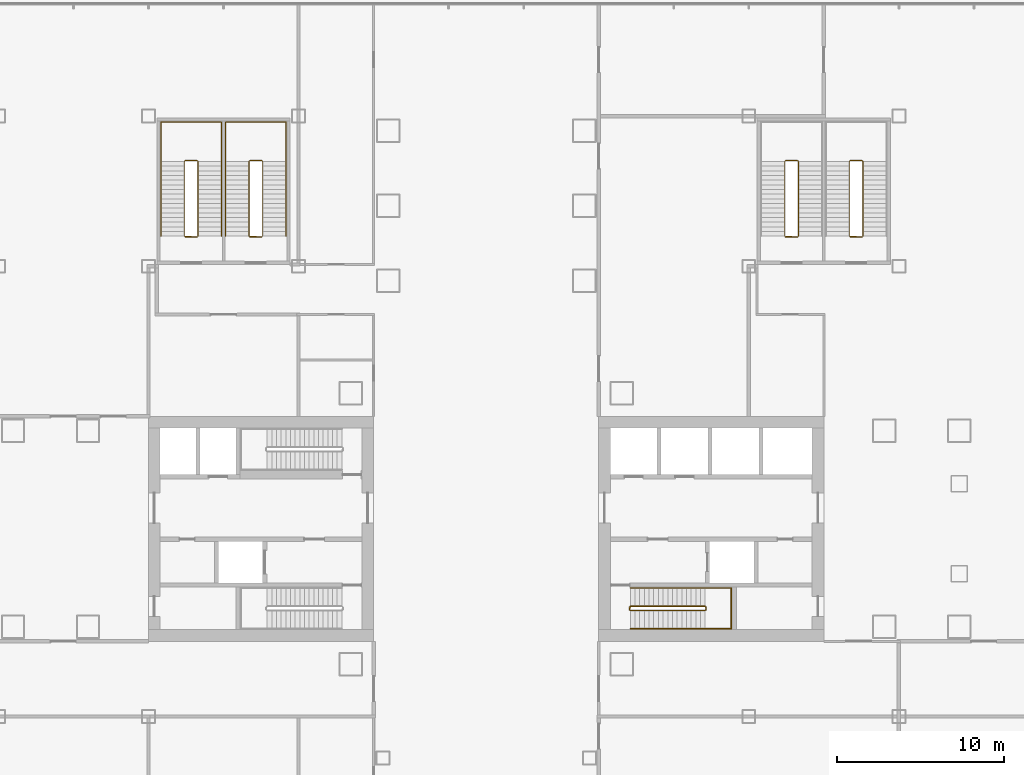
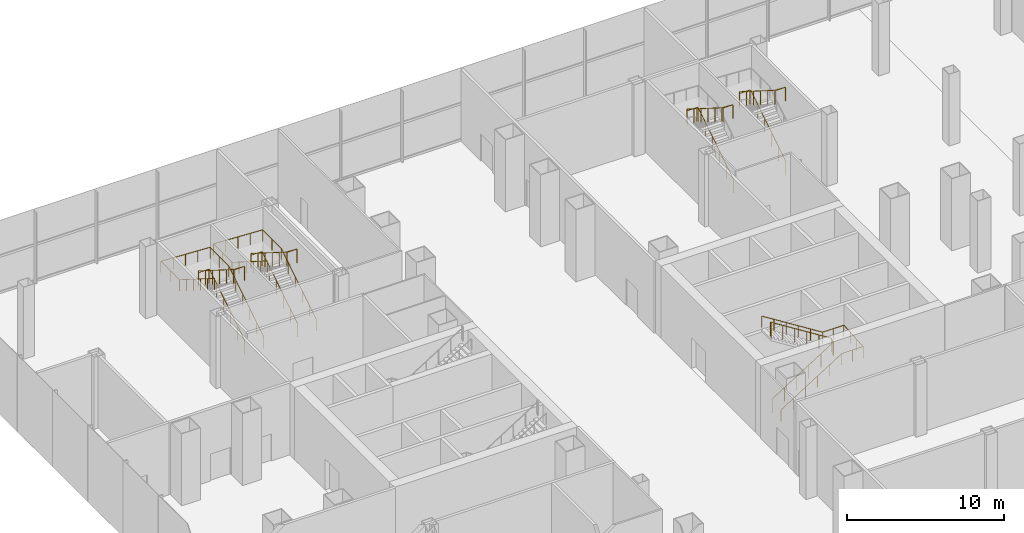
# One storey, part 35 of 38: 8 railings.
"""IFC4 building model written with IfcOpenShell, lengths in metres."""

from ifc_helpers import new_model, si_unit, direction, frame, origin, origin_2d, place, context, subcontext, project, spatial, circle, extrude, material, type_object, element, save


model = new_model("IFC4")

# Units and contexts
model_context = context("Model", 3, precision=1e-05, world=origin(), true_north=direction((0.0, 1.0)))
body_context = subcontext(model_context, "Body", "Model", "MODEL_VIEW")
ifc_project = project(units=[si_unit("LENGTHUNIT", "METRE"), si_unit("AREAUNIT", "SQUARE_METRE"), si_unit("VOLUMEUNIT", "CUBIC_METRE"), si_unit("PLANEANGLEUNIT", "RADIAN"), si_unit("MASSUNIT", "GRAM", prefix="KILO")], contexts=[model_context])

# Site, building, storey
site_placement = place(None, origin())
site = spatial("IfcSite", under=ifc_project, at=site_placement, CompositionType="ELEMENT")
building_placement = place(site_placement, origin())
building = spatial("IfcBuilding", under=site, at=building_placement, Name="Shamsa Quay Exchange Towers", CompositionType="ELEMENT")
storey_placement = place(building_placement, frame((0.0, 0.0, 12.5)))
storey = spatial("IfcBuildingStorey", under=building, at=storey_placement, Name="L02", CompositionType="ELEMENT", Elevation=12.5)

# Railings
ifc_material = material(Name="Stainless steel", Category="steel")
railing_type_1 = type_object("IfcRailingType", Name="STAIR GUARD 1100", PredefinedType="GUARDRAIL", material=ifc_material)
railing_1_placement = place(storey_placement, frame((-25.10009765625, -4.89990234375, 0.176513671875)))
element("IfcRailing", 1, at=railing_1_placement, inside=storey, type_object=railing_type_1, Name="L02 ST1 stair guard 1", PredefinedType="GUARDRAIL", context=body_context, shape_type="SweptSolid", body=[
    extrude(circle(Radius=0.02392578125, at=origin_2d()), frame((0.0, 0.0, 1.076171875), z_axis=(0.845997938375, 0.0, 0.533186166611), x_axis=(0.0, 1.0, 0.0)), (0.0, 0.0, 1.0), 5.29541015625),
    extrude(circle(Radius=0.02392578125, at=origin_2d()), frame((4.47998046875, 0.0, 3.8994140625), z_axis=(0.708833529934, 0.705375805398, 0.0), x_axis=(-0.705375805398, 0.708833529934, 0.0)), (0.0, 0.0, 1.0), 0.070556640625),
    extrude(circle(Radius=0.02392578125, at=origin_2d()), frame((4.530029296875, 0.0498046875, 3.8994140625), z_axis=(0.0, 1.0, 0.0), x_axis=(-1.0, 0.0, 0.0)), (0.0, 0.0, 1.0), 0.150146484375),
    extrude(circle(Radius=0.02392578125, at=origin_2d()), frame((4.530029296875, 0.199951171875, 3.8994140625), z_axis=(-0.263171338983, 0.263171338983, 0.928160380902), x_axis=(-0.707106781187, -0.707106781187, 0.0)), (0.0, 0.0, 1.0), 0.190185546875),
    extrude(circle(Radius=0.02392578125, at=origin_2d()), frame((4.47998046875, 0.25, 4.076171875), z_axis=(-0.845997938375, 0.0, 0.533186166611), x_axis=(0.0, -1.0, 0.0)), (0.0, 0.0, 1.0), 5.29541015625),
    extrude(circle(Radius=0.02392578125, at=origin_2d()), frame((0.0, 0.25, 6.8994140625), z_axis=(-0.24142163986, -0.970420317083, 0.0), x_axis=(0.970420317083, -0.24142163986, 0.0)), (0.0, 0.0, 1.0), 0.206298828125),
    extrude(circle(Radius=0.02392578125, at=origin_2d()), frame((-0.0498046875, 0.0498046875, 6.8994140625), z_axis=(0.0, 1.0, 0.0), x_axis=(-1.0, 0.0, 0.0)), (0.0, 0.0, 1.0), 0.150146484375),
    extrude(circle(Radius=0.02099609375, at=origin_2d()), origin(), (0.0, 0.0, 1.0), 1.052001953125),
    extrude(circle(Radius=0.02099609375, at=origin_2d()), frame((0.89599609375, 0.0, 0.564697265625)), (0.0, 0.0, 1.0), 1.052001953125),
    extrude(circle(Radius=0.02099609375, at=origin_2d()), frame((1.7919921875, 0.0, 1.12939453125)), (0.0, 0.0, 1.0), 1.052001953125),
    extrude(circle(Radius=0.02099609375, at=origin_2d()), frame((2.68798828125, 0.0, 1.694091796875)), (0.0, 0.0, 1.0), 1.052001953125),
    extrude(circle(Radius=0.02099609375, at=origin_2d()), frame((3.583984375, 0.0, 2.2587890625)), (0.0, 0.0, 1.0), 1.052001953125),
    extrude(circle(Radius=0.02099609375, at=origin_2d()), frame((4.47998046875, 0.0, 2.823486328125)), (0.0, 0.0, 1.0), 1.052001953125),
    extrude(circle(Radius=0.02099609375, at=origin_2d()), frame((4.530029296875, 0.0498046875, 2.823486328125)), (0.0, 0.0, 1.0), 1.052001953125),
    extrude(circle(Radius=0.02099609375, at=origin_2d()), frame((4.530029296875, 0.199951171875, 2.823486328125)), (0.0, 0.0, 1.0), 1.052001953125),
    extrude(circle(Radius=0.02099609375, at=origin_2d()), frame((4.47998046875, 0.25, 3.0)), (0.0, 0.0, 1.0), 1.052001953125),
    extrude(circle(Radius=0.02099609375, at=origin_2d()), frame((3.583984375, 0.25, 3.564697265625)), (0.0, 0.0, 1.0), 1.052001953125),
    extrude(circle(Radius=0.02099609375, at=origin_2d()), frame((2.68798828125, 0.25, 4.12939453125)), (0.0, 0.0, 1.0), 1.052001953125),
    extrude(circle(Radius=0.02099609375, at=origin_2d()), frame((1.7919921875, 0.25, 4.694091796875)), (0.0, 0.0, 1.0), 1.052001953125),
    extrude(circle(Radius=0.02099609375, at=origin_2d()), frame((0.89599609375, 0.25, 5.2587890625)), (0.0, 0.0, 1.0), 1.052001953125),
    extrude(circle(Radius=0.02099609375, at=origin_2d()), frame((0.0, 0.25, 5.823486328125)), (0.0, 0.0, 1.0), 1.052001953125),
    extrude(circle(Radius=0.02099609375, at=origin_2d()), frame((-0.0498046875, 0.0498046875, 5.823486328125)), (0.0, 0.0, 1.0), 1.052001953125),
    extrude(circle(Radius=0.02099609375, at=origin_2d()), frame((-0.0498046875, 0.199951171875, 5.823486328125)), (0.0, 0.0, 1.0), 1.052001953125),
])
railing_2_placement = place(storey_placement, frame((-51.02490234375, 17.550048828125, 0.176513671875)))
element("IfcRailing", 2, at=railing_2_placement, inside=storey, type_object=railing_type_1, Name="L02 PS1A stair guard 1", PredefinedType="GUARDRAIL", context=body_context, shape_type="SweptSolid", body=[
    extrude(circle(Radius=0.02392578125, at=origin_2d()), frame((0.0, 0.0, 1.076171875), z_axis=(0.0, 0.845997938375, 0.533186166611), x_axis=(-1.0, 0.0, 0.0)), (0.0, 0.0, 1.0), 5.29541015625),
    extrude(circle(Radius=0.02392578125, at=origin_2d()), frame((0.0, 4.47998046875, 3.8994140625), z_axis=(-0.707106781187, 0.707106781187, 0.0), x_axis=(-0.707106781187, -0.707106781187, 0.0)), (0.0, 0.0, 1.0), 0.07080078125),
    extrude(circle(Radius=0.02392578125, at=origin_2d()), frame((-0.050048828125, 4.530029296875, 3.8994140625), z_axis=(-1.0, 0.0, 0.0), x_axis=(0.0, -1.0, 0.0)), (0.0, 0.0, 1.0), 0.72509765625),
    extrude(circle(Radius=0.02392578125, at=origin_2d()), frame((-0.775146484375, 4.530029296875, 3.8994140625), z_axis=(-0.263171338983, -0.263171338983, 0.928160380902), x_axis=(0.707106781187, -0.707106781187, 0.0)), (0.0, 0.0, 1.0), 0.190185546875),
    extrude(circle(Radius=0.02392578125, at=origin_2d()), frame((-0.8251953125, 4.47998046875, 4.076171875), z_axis=(0.0, -0.845997938375, 0.533186166611), x_axis=(1.0, 0.0, 0.0)), (0.0, 0.0, 1.0), 5.29541015625),
    extrude(circle(Radius=0.02392578125, at=origin_2d()), frame((-0.8251953125, 0.0, 6.8994140625), z_axis=(0.997922050633, -0.064432762324, 0.0), x_axis=(0.064432762324, 0.997922050633, 0.0)), (0.0, 0.0, 1.0), 0.77685546875),
    extrude(circle(Radius=0.02392578125, at=origin_2d()), frame((-0.050048828125, -0.050048828125, 6.8994140625), z_axis=(-1.0, 0.0, 0.0), x_axis=(0.0, -1.0, 0.0)), (0.0, 0.0, 1.0), 0.72509765625),
    extrude(circle(Radius=0.02099609375, at=origin_2d()), origin(), (0.0, 0.0, 1.0), 1.052001953125),
    extrude(circle(Radius=0.02099609375, at=origin_2d()), frame((0.0, 0.89599609375, 0.564697265625)), (0.0, 0.0, 1.0), 1.052001953125),
    extrude(circle(Radius=0.02099609375, at=origin_2d()), frame((0.0, 1.7919921875, 1.12939453125)), (0.0, 0.0, 1.0), 1.052001953125),
    extrude(circle(Radius=0.02099609375, at=origin_2d()), frame((0.0, 2.68798828125, 1.694091796875)), (0.0, 0.0, 1.0), 1.052001953125),
    extrude(circle(Radius=0.02099609375, at=origin_2d()), frame((0.0, 3.583984375, 2.2587890625)), (0.0, 0.0, 1.0), 1.052001953125),
    extrude(circle(Radius=0.02099609375, at=origin_2d()), frame((0.0, 4.47998046875, 2.823486328125)), (0.0, 0.0, 1.0), 1.052001953125),
    extrude(circle(Radius=0.02099609375, at=origin_2d()), frame((-0.050048828125, 4.530029296875, 2.823486328125)), (0.0, 0.0, 1.0), 1.052001953125),
    extrude(circle(Radius=0.02099609375, at=origin_2d()), frame((-0.775146484375, 4.530029296875, 2.823486328125)), (0.0, 0.0, 1.0), 1.052001953125),
    extrude(circle(Radius=0.02099609375, at=origin_2d()), frame((-0.8251953125, 4.47998046875, 3.0)), (0.0, 0.0, 1.0), 1.052001953125),
    extrude(circle(Radius=0.02099609375, at=origin_2d()), frame((-0.8251953125, 3.583984375, 3.564697265625)), (0.0, 0.0, 1.0), 1.052001953125),
    extrude(circle(Radius=0.02099609375, at=origin_2d()), frame((-0.8251953125, 2.68798828125, 4.12939453125)), (0.0, 0.0, 1.0), 1.052001953125),
    extrude(circle(Radius=0.02099609375, at=origin_2d()), frame((-0.8251953125, 1.7919921875, 4.694091796875)), (0.0, 0.0, 1.0), 1.052001953125),
    extrude(circle(Radius=0.02099609375, at=origin_2d()), frame((-0.8251953125, 0.89599609375, 5.2587890625)), (0.0, 0.0, 1.0), 1.052001953125),
    extrude(circle(Radius=0.02099609375, at=origin_2d()), frame((-0.8251953125, 0.0, 5.823486328125)), (0.0, 0.0, 1.0), 1.052001953125),
    extrude(circle(Radius=0.02099609375, at=origin_2d()), frame((-0.050048828125, -0.050048828125, 5.823486328125)), (0.0, 0.0, 1.0), 1.052001953125),
    extrude(circle(Radius=0.02099609375, at=origin_2d()), frame((-0.775146484375, -0.050048828125, 5.823486328125)), (0.0, 0.0, 1.0), 1.052001953125),
])
railing_3_placement = place(storey_placement, frame((-47.14990234375, 17.550048828125, 0.176513671875)))
element("IfcRailing", 3, at=railing_3_placement, inside=storey, type_object=railing_type_1, Name="L02 PS1B stair guard 1", PredefinedType="GUARDRAIL", context=body_context, shape_type="SweptSolid", body=[
    extrude(circle(Radius=0.02392578125, at=origin_2d()), frame((0.0, 0.0, 1.076171875), z_axis=(0.0, 0.845997938375, 0.533186166611), x_axis=(-1.0, 0.0, 0.0)), (0.0, 0.0, 1.0), 5.29541015625),
    extrude(circle(Radius=0.02392578125, at=origin_2d()), frame((0.0, 4.47998046875, 3.8994140625), z_axis=(-0.707106781187, 0.707106781187, 0.0), x_axis=(-0.707106781187, -0.707106781187, 0.0)), (0.0, 0.0, 1.0), 0.07080078125),
    extrude(circle(Radius=0.02392578125, at=origin_2d()), frame((-0.050048828125, 4.530029296875, 3.8994140625), z_axis=(-1.0, 0.0, 0.0), x_axis=(0.0, -1.0, 0.0)), (0.0, 0.0, 1.0), 0.72509765625),
    extrude(circle(Radius=0.02392578125, at=origin_2d()), frame((-0.775146484375, 4.530029296875, 3.8994140625), z_axis=(-0.263171338983, -0.263171338983, 0.928160380902), x_axis=(0.707106781187, -0.707106781187, 0.0)), (0.0, 0.0, 1.0), 0.190185546875),
    extrude(circle(Radius=0.02392578125, at=origin_2d()), frame((-0.8251953125, 4.47998046875, 4.076171875), z_axis=(0.0, -0.845997938375, 0.533186166611), x_axis=(1.0, 0.0, 0.0)), (0.0, 0.0, 1.0), 5.29541015625),
    extrude(circle(Radius=0.02392578125, at=origin_2d()), frame((-0.8251953125, 0.0, 6.8994140625), z_axis=(0.997922050633, -0.064432762324, 0.0), x_axis=(0.064432762324, 0.997922050633, 0.0)), (0.0, 0.0, 1.0), 0.77685546875),
    extrude(circle(Radius=0.02392578125, at=origin_2d()), frame((-0.050048828125, -0.050048828125, 6.8994140625), z_axis=(-1.0, 0.0, 0.0), x_axis=(0.0, -1.0, 0.0)), (0.0, 0.0, 1.0), 0.72509765625),
    extrude(circle(Radius=0.02099609375, at=origin_2d()), origin(), (0.0, 0.0, 1.0), 1.052001953125),
    extrude(circle(Radius=0.02099609375, at=origin_2d()), frame((0.0, 0.89599609375, 0.564697265625)), (0.0, 0.0, 1.0), 1.052001953125),
    extrude(circle(Radius=0.02099609375, at=origin_2d()), frame((0.0, 1.7919921875, 1.12939453125)), (0.0, 0.0, 1.0), 1.052001953125),
    extrude(circle(Radius=0.02099609375, at=origin_2d()), frame((0.0, 2.68798828125, 1.694091796875)), (0.0, 0.0, 1.0), 1.052001953125),
    extrude(circle(Radius=0.02099609375, at=origin_2d()), frame((0.0, 3.583984375, 2.2587890625)), (0.0, 0.0, 1.0), 1.052001953125),
    extrude(circle(Radius=0.02099609375, at=origin_2d()), frame((0.0, 4.47998046875, 2.823486328125)), (0.0, 0.0, 1.0), 1.052001953125),
    extrude(circle(Radius=0.02099609375, at=origin_2d()), frame((-0.050048828125, 4.530029296875, 2.823486328125)), (0.0, 0.0, 1.0), 1.052001953125),
    extrude(circle(Radius=0.02099609375, at=origin_2d()), frame((-0.775146484375, 4.530029296875, 2.823486328125)), (0.0, 0.0, 1.0), 1.052001953125),
    extrude(circle(Radius=0.02099609375, at=origin_2d()), frame((-0.8251953125, 4.47998046875, 3.0)), (0.0, 0.0, 1.0), 1.052001953125),
    extrude(circle(Radius=0.02099609375, at=origin_2d()), frame((-0.8251953125, 3.583984375, 3.564697265625)), (0.0, 0.0, 1.0), 1.052001953125),
    extrude(circle(Radius=0.02099609375, at=origin_2d()), frame((-0.8251953125, 2.68798828125, 4.12939453125)), (0.0, 0.0, 1.0), 1.052001953125),
    extrude(circle(Radius=0.02099609375, at=origin_2d()), frame((-0.8251953125, 1.7919921875, 4.694091796875)), (0.0, 0.0, 1.0), 1.052001953125),
    extrude(circle(Radius=0.02099609375, at=origin_2d()), frame((-0.8251953125, 0.89599609375, 5.2587890625)), (0.0, 0.0, 1.0), 1.052001953125),
    extrude(circle(Radius=0.02099609375, at=origin_2d()), frame((-0.8251953125, 0.0, 5.823486328125)), (0.0, 0.0, 1.0), 1.052001953125),
    extrude(circle(Radius=0.02099609375, at=origin_2d()), frame((-0.050048828125, -0.050048828125, 5.823486328125)), (0.0, 0.0, 1.0), 1.052001953125),
    extrude(circle(Radius=0.02099609375, at=origin_2d()), frame((-0.775146484375, -0.050048828125, 5.823486328125)), (0.0, 0.0, 1.0), 1.052001953125),
])
railing_4_placement = place(storey_placement, frame((-15.02490234375, 17.550048828125, 0.176513671875)))
element("IfcRailing", 4, at=railing_4_placement, inside=storey, type_object=railing_type_1, Name="L02 PS2A stair guard 1", PredefinedType="GUARDRAIL", context=body_context, shape_type="SweptSolid", body=[
    extrude(circle(Radius=0.02392578125, at=origin_2d()), frame((0.0, 0.0, 1.076171875), z_axis=(0.0, 0.845997938375, 0.533186166611), x_axis=(-1.0, 0.0, 0.0)), (0.0, 0.0, 1.0), 5.29541015625),
    extrude(circle(Radius=0.02392578125, at=origin_2d()), frame((0.0, 4.47998046875, 3.8994140625), z_axis=(-0.707106781187, 0.707106781187, 0.0), x_axis=(-0.707106781187, -0.707106781187, 0.0)), (0.0, 0.0, 1.0), 0.07080078125),
    extrude(circle(Radius=0.02392578125, at=origin_2d()), frame((-0.050048828125, 4.530029296875, 3.8994140625), z_axis=(-1.0, 0.0, 0.0), x_axis=(0.0, -1.0, 0.0)), (0.0, 0.0, 1.0), 0.72509765625),
    extrude(circle(Radius=0.02392578125, at=origin_2d()), frame((-0.775146484375, 4.530029296875, 3.8994140625), z_axis=(-0.263171338983, -0.263171338983, 0.928160380902), x_axis=(0.707106781187, -0.707106781187, 0.0)), (0.0, 0.0, 1.0), 0.190185546875),
    extrude(circle(Radius=0.02392578125, at=origin_2d()), frame((-0.8251953125, 4.47998046875, 4.076171875), z_axis=(0.0, -0.845997938375, 0.533186166611), x_axis=(1.0, 0.0, 0.0)), (0.0, 0.0, 1.0), 5.29541015625),
    extrude(circle(Radius=0.02392578125, at=origin_2d()), frame((-0.8251953125, 0.0, 6.8994140625), z_axis=(0.997922050633, -0.064432762324, 0.0), x_axis=(0.064432762324, 0.997922050633, 0.0)), (0.0, 0.0, 1.0), 0.77685546875),
    extrude(circle(Radius=0.02392578125, at=origin_2d()), frame((-0.050048828125, -0.050048828125, 6.8994140625), z_axis=(-1.0, 0.0, 0.0), x_axis=(0.0, -1.0, 0.0)), (0.0, 0.0, 1.0), 0.72509765625),
    extrude(circle(Radius=0.02099609375, at=origin_2d()), origin(), (0.0, 0.0, 1.0), 1.052001953125),
    extrude(circle(Radius=0.02099609375, at=origin_2d()), frame((0.0, 0.89599609375, 0.564697265625)), (0.0, 0.0, 1.0), 1.052001953125),
    extrude(circle(Radius=0.02099609375, at=origin_2d()), frame((0.0, 1.7919921875, 1.12939453125)), (0.0, 0.0, 1.0), 1.052001953125),
    extrude(circle(Radius=0.02099609375, at=origin_2d()), frame((0.0, 2.68798828125, 1.694091796875)), (0.0, 0.0, 1.0), 1.052001953125),
    extrude(circle(Radius=0.02099609375, at=origin_2d()), frame((0.0, 3.583984375, 2.2587890625)), (0.0, 0.0, 1.0), 1.052001953125),
    extrude(circle(Radius=0.02099609375, at=origin_2d()), frame((0.0, 4.47998046875, 2.823486328125)), (0.0, 0.0, 1.0), 1.052001953125),
    extrude(circle(Radius=0.02099609375, at=origin_2d()), frame((-0.050048828125, 4.530029296875, 2.823486328125)), (0.0, 0.0, 1.0), 1.052001953125),
    extrude(circle(Radius=0.02099609375, at=origin_2d()), frame((-0.775146484375, 4.530029296875, 2.823486328125)), (0.0, 0.0, 1.0), 1.052001953125),
    extrude(circle(Radius=0.02099609375, at=origin_2d()), frame((-0.8251953125, 4.47998046875, 3.0)), (0.0, 0.0, 1.0), 1.052001953125),
    extrude(circle(Radius=0.02099609375, at=origin_2d()), frame((-0.8251953125, 3.583984375, 3.564697265625)), (0.0, 0.0, 1.0), 1.052001953125),
    extrude(circle(Radius=0.02099609375, at=origin_2d()), frame((-0.8251953125, 2.68798828125, 4.12939453125)), (0.0, 0.0, 1.0), 1.052001953125),
    extrude(circle(Radius=0.02099609375, at=origin_2d()), frame((-0.8251953125, 1.7919921875, 4.694091796875)), (0.0, 0.0, 1.0), 1.052001953125),
    extrude(circle(Radius=0.02099609375, at=origin_2d()), frame((-0.8251953125, 0.89599609375, 5.2587890625)), (0.0, 0.0, 1.0), 1.052001953125),
    extrude(circle(Radius=0.02099609375, at=origin_2d()), frame((-0.8251953125, 0.0, 5.823486328125)), (0.0, 0.0, 1.0), 1.052001953125),
    extrude(circle(Radius=0.02099609375, at=origin_2d()), frame((-0.050048828125, -0.050048828125, 5.823486328125)), (0.0, 0.0, 1.0), 1.052001953125),
    extrude(circle(Radius=0.02099609375, at=origin_2d()), frame((-0.775146484375, -0.050048828125, 5.823486328125)), (0.0, 0.0, 1.0), 1.052001953125),
])
railing_5_placement = place(storey_placement, frame((-11.14990234375, 17.550048828125, 0.176513671875)))
element("IfcRailing", 5, at=railing_5_placement, inside=storey, type_object=railing_type_1, Name="L02 PS2B stair guard 1", PredefinedType="GUARDRAIL", context=body_context, shape_type="SweptSolid", body=[
    extrude(circle(Radius=0.02392578125, at=origin_2d()), frame((0.0, 0.0, 1.076171875), z_axis=(0.0, 0.845997938375, 0.533186166611), x_axis=(-1.0, 0.0, 0.0)), (0.0, 0.0, 1.0), 5.29541015625),
    extrude(circle(Radius=0.02392578125, at=origin_2d()), frame((0.0, 4.47998046875, 3.8994140625), z_axis=(-0.707106781187, 0.707106781187, 0.0), x_axis=(-0.707106781187, -0.707106781187, 0.0)), (0.0, 0.0, 1.0), 0.07080078125),
    extrude(circle(Radius=0.02392578125, at=origin_2d()), frame((-0.050048828125, 4.530029296875, 3.8994140625), z_axis=(-1.0, 0.0, 0.0), x_axis=(0.0, -1.0, 0.0)), (0.0, 0.0, 1.0), 0.72509765625),
    extrude(circle(Radius=0.02392578125, at=origin_2d()), frame((-0.775146484375, 4.530029296875, 3.8994140625), z_axis=(-0.263171338983, -0.263171338983, 0.928160380902), x_axis=(0.707106781187, -0.707106781187, 0.0)), (0.0, 0.0, 1.0), 0.190185546875),
    extrude(circle(Radius=0.02392578125, at=origin_2d()), frame((-0.8251953125, 4.47998046875, 4.076171875), z_axis=(0.0, -0.845997938375, 0.533186166611), x_axis=(1.0, 0.0, 0.0)), (0.0, 0.0, 1.0), 5.29541015625),
    extrude(circle(Radius=0.02392578125, at=origin_2d()), frame((-0.8251953125, 0.0, 6.8994140625), z_axis=(0.997922050633, -0.064432762324, 0.0), x_axis=(0.064432762324, 0.997922050633, 0.0)), (0.0, 0.0, 1.0), 0.77685546875),
    extrude(circle(Radius=0.02392578125, at=origin_2d()), frame((-0.050048828125, -0.050048828125, 6.8994140625), z_axis=(-1.0, 0.0, 0.0), x_axis=(0.0, -1.0, 0.0)), (0.0, 0.0, 1.0), 0.72509765625),
    extrude(circle(Radius=0.02099609375, at=origin_2d()), origin(), (0.0, 0.0, 1.0), 1.052001953125),
    extrude(circle(Radius=0.02099609375, at=origin_2d()), frame((0.0, 0.89599609375, 0.564697265625)), (0.0, 0.0, 1.0), 1.052001953125),
    extrude(circle(Radius=0.02099609375, at=origin_2d()), frame((0.0, 1.7919921875, 1.12939453125)), (0.0, 0.0, 1.0), 1.052001953125),
    extrude(circle(Radius=0.02099609375, at=origin_2d()), frame((0.0, 2.68798828125, 1.694091796875)), (0.0, 0.0, 1.0), 1.052001953125),
    extrude(circle(Radius=0.02099609375, at=origin_2d()), frame((0.0, 3.583984375, 2.2587890625)), (0.0, 0.0, 1.0), 1.052001953125),
    extrude(circle(Radius=0.02099609375, at=origin_2d()), frame((0.0, 4.47998046875, 2.823486328125)), (0.0, 0.0, 1.0), 1.052001953125),
    extrude(circle(Radius=0.02099609375, at=origin_2d()), frame((-0.050048828125, 4.530029296875, 2.823486328125)), (0.0, 0.0, 1.0), 1.052001953125),
    extrude(circle(Radius=0.02099609375, at=origin_2d()), frame((-0.775146484375, 4.530029296875, 2.823486328125)), (0.0, 0.0, 1.0), 1.052001953125),
    extrude(circle(Radius=0.02099609375, at=origin_2d()), frame((-0.8251953125, 4.47998046875, 3.0)), (0.0, 0.0, 1.0), 1.052001953125),
    extrude(circle(Radius=0.02099609375, at=origin_2d()), frame((-0.8251953125, 3.583984375, 3.564697265625)), (0.0, 0.0, 1.0), 1.052001953125),
    extrude(circle(Radius=0.02099609375, at=origin_2d()), frame((-0.8251953125, 2.68798828125, 4.12939453125)), (0.0, 0.0, 1.0), 1.052001953125),
    extrude(circle(Radius=0.02099609375, at=origin_2d()), frame((-0.8251953125, 1.7919921875, 4.694091796875)), (0.0, 0.0, 1.0), 1.052001953125),
    extrude(circle(Radius=0.02099609375, at=origin_2d()), frame((-0.8251953125, 0.89599609375, 5.2587890625)), (0.0, 0.0, 1.0), 1.052001953125),
    extrude(circle(Radius=0.02099609375, at=origin_2d()), frame((-0.8251953125, 0.0, 5.823486328125)), (0.0, 0.0, 1.0), 1.052001953125),
    extrude(circle(Radius=0.02099609375, at=origin_2d()), frame((-0.050048828125, -0.050048828125, 5.823486328125)), (0.0, 0.0, 1.0), 1.052001953125),
    extrude(circle(Radius=0.02099609375, at=origin_2d()), frame((-0.775146484375, -0.050048828125, 5.823486328125)), (0.0, 0.0, 1.0), 1.052001953125),
])
railing_type_2 = type_object("IfcRailingType", Name="STAIR HANDRAIL 900", PredefinedType="HANDRAIL", material=ifc_material)
railing_6_placement = place(storey_placement, frame((-25.10009765625, -6.0, 0.176513671875)))
element("IfcRailing", 6, at=railing_6_placement, inside=storey, type_object=railing_type_2, Name="L02 ST1 stair handrail 1", PredefinedType="HANDRAIL", context=body_context, shape_type="SweptSolid", body=[
    extrude(circle(Radius=0.02392578125, at=origin_2d()), frame((0.0, 0.0, 0.8759765625), z_axis=(0.845997938375, 0.0, 0.533186166611), x_axis=(0.0, 1.0, 0.0)), (0.0, 0.0, 1.0), 5.29541015625),
    extrude(circle(Radius=0.02392578125, at=origin_2d()), frame((4.47998046875, 0.0, 3.69921875), z_axis=(1.0, 0.0, 0.0), x_axis=(0.0, 1.0, 0.0)), (0.0, 0.0, 1.0), 1.570068359375),
    extrude(circle(Radius=0.02392578125, at=origin_2d()), frame((6.050048828125, 0.0, 3.69921875), z_axis=(0.0, 0.997414615901, 0.071861561265), x_axis=(-1.0, 0.0, 0.0)), (0.0, 0.0, 1.0), 2.456298828125),
    extrude(circle(Radius=0.02392578125, at=origin_2d()), frame((6.050048828125, 2.449951171875, 3.8759765625), z_axis=(-1.0, 0.0, 0.0), x_axis=(0.0, -1.0, 0.0)), (0.0, 0.0, 1.0), 1.570068359375),
    extrude(circle(Radius=0.02392578125, at=origin_2d()), frame((4.47998046875, 2.449951171875, 3.8759765625), z_axis=(-0.845997938375, 0.0, 0.533186166611), x_axis=(0.0, -1.0, 0.0)), (0.0, 0.0, 1.0), 5.29541015625),
    extrude(circle(Radius=0.02099609375, at=origin_2d()), origin(), (0.0, 0.0, 1.0), 0.851806640625),
    extrude(circle(Radius=0.02099609375, at=origin_2d()), frame((0.89599609375, 0.0, 0.564697265625)), (0.0, 0.0, 1.0), 0.851806640625),
    extrude(circle(Radius=0.02099609375, at=origin_2d()), frame((1.7919921875, 0.0, 1.12939453125)), (0.0, 0.0, 1.0), 0.851806640625),
    extrude(circle(Radius=0.02099609375, at=origin_2d()), frame((2.68798828125, 0.0, 1.694091796875)), (0.0, 0.0, 1.0), 0.851806640625),
    extrude(circle(Radius=0.02099609375, at=origin_2d()), frame((3.583984375, 0.0, 2.2587890625)), (0.0, 0.0, 1.0), 0.851806640625),
    extrude(circle(Radius=0.02099609375, at=origin_2d()), frame((4.47998046875, 0.0, 2.823486328125)), (0.0, 0.0, 1.0), 0.851806640625),
    extrude(circle(Radius=0.02099609375, at=origin_2d()), frame((5.26513671875, 0.0, 2.823486328125)), (0.0, 0.0, 1.0), 0.851806640625),
    extrude(circle(Radius=0.02099609375, at=origin_2d()), frame((6.050048828125, 0.0, 2.823486328125)), (0.0, 0.0, 1.0), 0.851806640625),
    extrude(circle(Radius=0.02099609375, at=origin_2d()), frame((6.050048828125, 0.816650390625, 2.88232421875)), (0.0, 0.0, 1.0), 0.851806640625),
    extrude(circle(Radius=0.02099609375, at=origin_2d()), frame((6.050048828125, 1.63330078125, 2.941162109375)), (0.0, 0.0, 1.0), 0.851806640625),
    extrude(circle(Radius=0.02099609375, at=origin_2d()), frame((6.050048828125, 2.449951171875, 3.0)), (0.0, 0.0, 1.0), 0.851806640625),
    extrude(circle(Radius=0.02099609375, at=origin_2d()), frame((5.26513671875, 2.449951171875, 3.0)), (0.0, 0.0, 1.0), 0.851806640625),
    extrude(circle(Radius=0.02099609375, at=origin_2d()), frame((4.47998046875, 2.449951171875, 3.0)), (0.0, 0.0, 1.0), 0.851806640625),
    extrude(circle(Radius=0.02099609375, at=origin_2d()), frame((3.583984375, 2.449951171875, 3.564697265625)), (0.0, 0.0, 1.0), 0.851806640625),
    extrude(circle(Radius=0.02099609375, at=origin_2d()), frame((2.68798828125, 2.449951171875, 4.12939453125)), (0.0, 0.0, 1.0), 0.851806640625),
    extrude(circle(Radius=0.02099609375, at=origin_2d()), frame((1.7919921875, 2.449951171875, 4.694091796875)), (0.0, 0.0, 1.0), 0.851806640625),
    extrude(circle(Radius=0.02099609375, at=origin_2d()), frame((0.89599609375, 2.449951171875, 5.2587890625)), (0.0, 0.0, 1.0), 0.851806640625),
    extrude(circle(Radius=0.02099609375, at=origin_2d()), frame((0.0, 2.449951171875, 5.823486328125)), (0.0, 0.0, 1.0), 0.851806640625),
])
railing_7_placement = place(storey_placement, frame((-49.625, 17.550048828125, 0.176513671875)))
element("IfcRailing", 7, at=railing_7_placement, inside=storey, type_object=railing_type_2, Name="L02 PS1A stair handrail 1", PredefinedType="HANDRAIL", context=body_context, shape_type="SweptSolid", body=[
    extrude(circle(Radius=0.02392578125, at=origin_2d()), frame((0.0, 0.0, 0.8759765625), z_axis=(0.0, 0.845997938375, 0.533186166611), x_axis=(-1.0, 0.0, 0.0)), (0.0, 0.0, 1.0), 5.29541015625),
    extrude(circle(Radius=0.02392578125, at=origin_2d()), frame((0.0, 4.47998046875, 3.69921875), z_axis=(0.0, 1.0, 0.0), x_axis=(-1.0, 0.0, 0.0)), (0.0, 0.0, 1.0), 2.369873046875),
    extrude(circle(Radius=0.02392578125, at=origin_2d()), frame((0.0, 6.849853515625, 3.69921875), z_axis=(-0.998816579144, 0.0, 0.048635801907), x_axis=(0.0, -1.0, 0.0)), (0.0, 0.0, 1.0), 3.62939453125),
    extrude(circle(Radius=0.02392578125, at=origin_2d()), frame((-3.625, 6.849853515625, 3.8759765625), z_axis=(0.0, -1.0, 0.0), x_axis=(1.0, 0.0, 0.0)), (0.0, 0.0, 1.0), 2.369873046875),
    extrude(circle(Radius=0.02392578125, at=origin_2d()), frame((-3.625, 4.47998046875, 3.8759765625), z_axis=(0.0, -0.845997938375, 0.533186166611), x_axis=(1.0, 0.0, 0.0)), (0.0, 0.0, 1.0), 5.29541015625),
    extrude(circle(Radius=0.02099609375, at=origin_2d()), origin(), (0.0, 0.0, 1.0), 0.851806640625),
    extrude(circle(Radius=0.02099609375, at=origin_2d()), frame((0.0, 0.89599609375, 0.564697265625)), (0.0, 0.0, 1.0), 0.851806640625),
    extrude(circle(Radius=0.02099609375, at=origin_2d()), frame((0.0, 1.7919921875, 1.12939453125)), (0.0, 0.0, 1.0), 0.851806640625),
    extrude(circle(Radius=0.02099609375, at=origin_2d()), frame((0.0, 2.68798828125, 1.694091796875)), (0.0, 0.0, 1.0), 0.851806640625),
    extrude(circle(Radius=0.02099609375, at=origin_2d()), frame((0.0, 3.583984375, 2.2587890625)), (0.0, 0.0, 1.0), 0.851806640625),
    extrude(circle(Radius=0.02099609375, at=origin_2d()), frame((0.0, 4.47998046875, 2.823486328125)), (0.0, 0.0, 1.0), 0.851806640625),
    extrude(circle(Radius=0.02099609375, at=origin_2d()), frame((0.0, 5.6650390625, 2.823486328125)), (0.0, 0.0, 1.0), 0.851806640625),
    extrude(circle(Radius=0.02099609375, at=origin_2d()), frame((0.0, 6.849853515625, 2.823486328125)), (0.0, 0.0, 1.0), 0.851806640625),
    extrude(circle(Radius=0.02099609375, at=origin_2d()), frame((-0.90625, 6.849853515625, 2.86767578125)), (0.0, 0.0, 1.0), 0.851806640625),
    extrude(circle(Radius=0.02099609375, at=origin_2d()), frame((-1.8125, 6.849853515625, 2.91162109375)), (0.0, 0.0, 1.0), 0.851806640625),
    extrude(circle(Radius=0.02099609375, at=origin_2d()), frame((-2.71875, 6.849853515625, 2.955810546875)), (0.0, 0.0, 1.0), 0.851806640625),
    extrude(circle(Radius=0.02099609375, at=origin_2d()), frame((-3.625, 6.849853515625, 3.0)), (0.0, 0.0, 1.0), 0.851806640625),
    extrude(circle(Radius=0.02099609375, at=origin_2d()), frame((-3.625, 5.6650390625, 3.0)), (0.0, 0.0, 1.0), 0.851806640625),
    extrude(circle(Radius=0.02099609375, at=origin_2d()), frame((-3.625, 4.47998046875, 3.0)), (0.0, 0.0, 1.0), 0.851806640625),
    extrude(circle(Radius=0.02099609375, at=origin_2d()), frame((-3.625, 3.583984375, 3.564697265625)), (0.0, 0.0, 1.0), 0.851806640625),
    extrude(circle(Radius=0.02099609375, at=origin_2d()), frame((-3.625, 2.68798828125, 4.12939453125)), (0.0, 0.0, 1.0), 0.851806640625),
    extrude(circle(Radius=0.02099609375, at=origin_2d()), frame((-3.625, 1.7919921875, 4.694091796875)), (0.0, 0.0, 1.0), 0.851806640625),
    extrude(circle(Radius=0.02099609375, at=origin_2d()), frame((-3.625, 0.89599609375, 5.2587890625)), (0.0, 0.0, 1.0), 0.851806640625),
    extrude(circle(Radius=0.02099609375, at=origin_2d()), frame((-3.625, 0.0, 5.823486328125)), (0.0, 0.0, 1.0), 0.851806640625),
])
railing_8_placement = place(storey_placement, frame((-45.75, 17.550048828125, 0.176513671875)))
element("IfcRailing", 8, at=railing_8_placement, inside=storey, type_object=railing_type_2, Name="L02 PS1B stair handrail 1", PredefinedType="HANDRAIL", context=body_context, shape_type="SweptSolid", body=[
    extrude(circle(Radius=0.02392578125, at=origin_2d()), frame((0.0, 0.0, 0.8759765625), z_axis=(0.0, 0.845997938375, 0.533186166611), x_axis=(-1.0, 0.0, 0.0)), (0.0, 0.0, 1.0), 5.29541015625),
    extrude(circle(Radius=0.02392578125, at=origin_2d()), frame((0.0, 4.47998046875, 3.69921875), z_axis=(0.0, 1.0, 0.0), x_axis=(-1.0, 0.0, 0.0)), (0.0, 0.0, 1.0), 2.369873046875),
    extrude(circle(Radius=0.02392578125, at=origin_2d()), frame((0.0, 6.849853515625, 3.69921875), z_axis=(-0.998816579144, 0.0, 0.048635801907), x_axis=(0.0, -1.0, 0.0)), (0.0, 0.0, 1.0), 3.62939453125),
    extrude(circle(Radius=0.02392578125, at=origin_2d()), frame((-3.625, 6.849853515625, 3.8759765625), z_axis=(0.0, -1.0, 0.0), x_axis=(1.0, 0.0, 0.0)), (0.0, 0.0, 1.0), 2.369873046875),
    extrude(circle(Radius=0.02392578125, at=origin_2d()), frame((-3.625, 4.47998046875, 3.8759765625), z_axis=(0.0, -0.845997938375, 0.533186166611), x_axis=(1.0, 0.0, 0.0)), (0.0, 0.0, 1.0), 5.29541015625),
    extrude(circle(Radius=0.02099609375, at=origin_2d()), origin(), (0.0, 0.0, 1.0), 0.851806640625),
    extrude(circle(Radius=0.02099609375, at=origin_2d()), frame((0.0, 0.89599609375, 0.564697265625)), (0.0, 0.0, 1.0), 0.851806640625),
    extrude(circle(Radius=0.02099609375, at=origin_2d()), frame((0.0, 1.7919921875, 1.12939453125)), (0.0, 0.0, 1.0), 0.851806640625),
    extrude(circle(Radius=0.02099609375, at=origin_2d()), frame((0.0, 2.68798828125, 1.694091796875)), (0.0, 0.0, 1.0), 0.851806640625),
    extrude(circle(Radius=0.02099609375, at=origin_2d()), frame((0.0, 3.583984375, 2.2587890625)), (0.0, 0.0, 1.0), 0.851806640625),
    extrude(circle(Radius=0.02099609375, at=origin_2d()), frame((0.0, 4.47998046875, 2.823486328125)), (0.0, 0.0, 1.0), 0.851806640625),
    extrude(circle(Radius=0.02099609375, at=origin_2d()), frame((0.0, 5.6650390625, 2.823486328125)), (0.0, 0.0, 1.0), 0.851806640625),
    extrude(circle(Radius=0.02099609375, at=origin_2d()), frame((0.0, 6.849853515625, 2.823486328125)), (0.0, 0.0, 1.0), 0.851806640625),
    extrude(circle(Radius=0.02099609375, at=origin_2d()), frame((-0.90625, 6.849853515625, 2.86767578125)), (0.0, 0.0, 1.0), 0.851806640625),
    extrude(circle(Radius=0.02099609375, at=origin_2d()), frame((-1.8125, 6.849853515625, 2.91162109375)), (0.0, 0.0, 1.0), 0.851806640625),
    extrude(circle(Radius=0.02099609375, at=origin_2d()), frame((-2.71875, 6.849853515625, 2.955810546875)), (0.0, 0.0, 1.0), 0.851806640625),
    extrude(circle(Radius=0.02099609375, at=origin_2d()), frame((-3.625, 6.849853515625, 3.0)), (0.0, 0.0, 1.0), 0.851806640625),
    extrude(circle(Radius=0.02099609375, at=origin_2d()), frame((-3.625, 5.6650390625, 3.0)), (0.0, 0.0, 1.0), 0.851806640625),
    extrude(circle(Radius=0.02099609375, at=origin_2d()), frame((-3.625, 4.47998046875, 3.0)), (0.0, 0.0, 1.0), 0.851806640625),
    extrude(circle(Radius=0.02099609375, at=origin_2d()), frame((-3.625, 3.583984375, 3.564697265625)), (0.0, 0.0, 1.0), 0.851806640625),
    extrude(circle(Radius=0.02099609375, at=origin_2d()), frame((-3.625, 2.68798828125, 4.12939453125)), (0.0, 0.0, 1.0), 0.851806640625),
    extrude(circle(Radius=0.02099609375, at=origin_2d()), frame((-3.625, 1.7919921875, 4.694091796875)), (0.0, 0.0, 1.0), 0.851806640625),
    extrude(circle(Radius=0.02099609375, at=origin_2d()), frame((-3.625, 0.89599609375, 5.2587890625)), (0.0, 0.0, 1.0), 0.851806640625),
    extrude(circle(Radius=0.02099609375, at=origin_2d()), frame((-3.625, 0.0, 5.823486328125)), (0.0, 0.0, 1.0), 0.851806640625),
])

save(model, "model.ifc")
